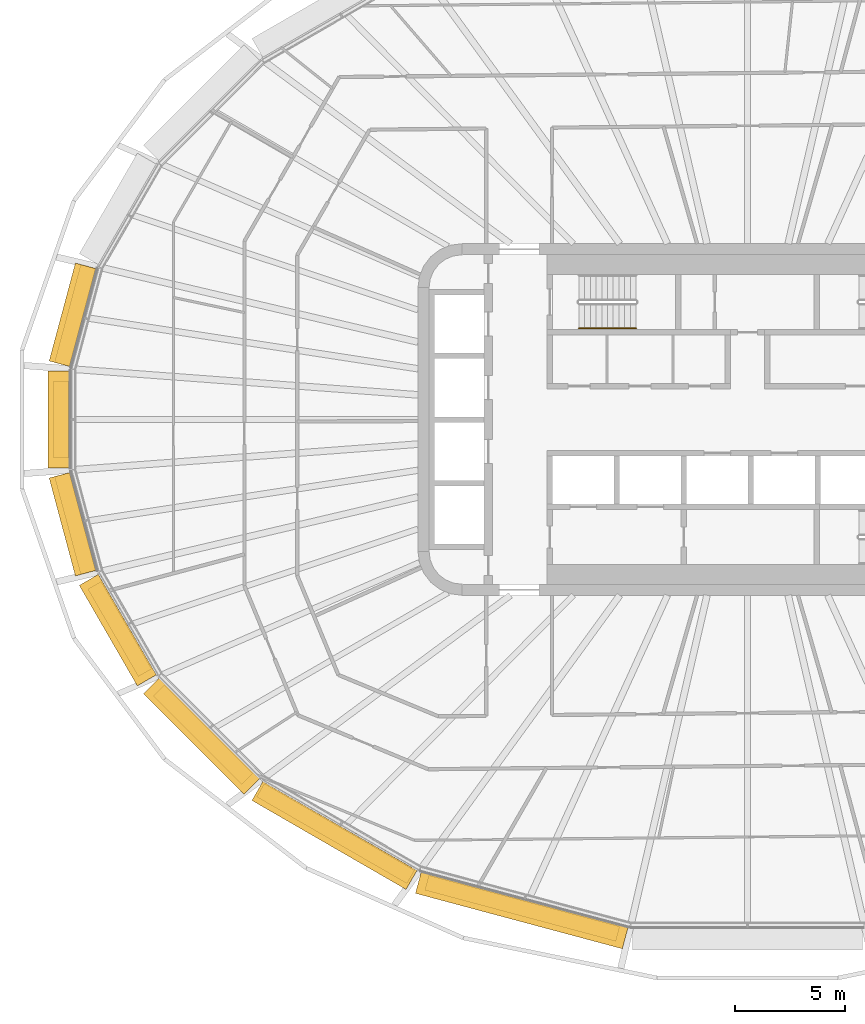
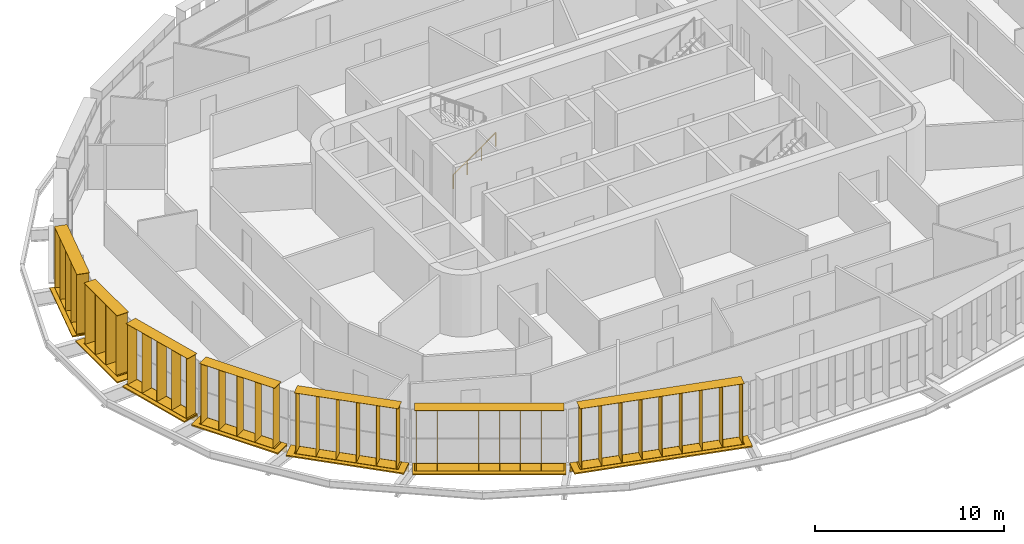
# One storey, part 17 of 22: 14 shading devices, 1 railing.
"""IFC4 building model written with IfcOpenShell, lengths in metres."""

from ifc_helpers import new_model, si_unit, direction, frame, origin, origin_2d, place, context, subcontext, project, spatial, rectangle, circle, extrude, material, type_object, element, save


model = new_model("IFC4")

# Units and contexts
model_context = context("Model", 3, precision=1e-05, world=origin(), true_north=direction((0.0, 1.0)))
body_context = subcontext(model_context, "Body", "Model", "MODEL_VIEW")
ifc_project = project(units=[si_unit("LENGTHUNIT", "METRE"), si_unit("AREAUNIT", "SQUARE_METRE"), si_unit("VOLUMEUNIT", "CUBIC_METRE"), si_unit("PLANEANGLEUNIT", "RADIAN"), si_unit("MASSUNIT", "GRAM", prefix="KILO")], contexts=[model_context])

# Site, building, storey
site_placement = place(None, origin())
site = spatial("IfcSite", under=ifc_project, at=site_placement, CompositionType="ELEMENT")
building_placement = place(site_placement, origin())
building = spatial("IfcBuilding", under=site, at=building_placement, Name="Sahrelin Media Tower", CompositionType="ELEMENT")
storey_placement = place(building_placement, frame((0.0, 0.0, 189.60009765625)))
storey = spatial("IfcBuildingStorey", under=building, at=storey_placement, Name="L40", CompositionType="ELEMENT", Elevation=189.60009765625)

# Shading devices
ifc_material_1 = material(Name="Champagne anodised aluminium 6063-T6", Category="aluminium")
shading_device_type_1 = type_object("IfcShadingDeviceType", Name="Fin cassette", PredefinedType="USERDEFINED", material=ifc_material_1)
placement_1 = place(storey_placement, frame((-30.2041015625, 4.627197265625, 0.0), z_axis=(0.0, 0.0, 1.0), x_axis=(0.258807731996, 0.965928857556, 0.0)))
element("IfcShadingDevice", 1, at=placement_1, inside=storey, type_object=shading_device_type_1, Name="L40:FIN:L40-11", ObjectType="FIN", PredefinedType="USERDEFINED", context=body_context, shape_type="SweptSolid", body=[
    extrude(rectangle(XDim=4.60009765625, YDim=0.699951171875, at=origin_2d()), frame((0.0, 0.419921875, 0.0)), (0.0, 0.0, 1.0), 0.02001953125),
    extrude(rectangle(XDim=4.60009765625, YDim=0.699951171875, at=origin_2d()), frame((0.0, 0.419921875, 3.89990234375)), (0.0, 0.0, 1.0), 0.02001953125),
    extrude(rectangle(XDim=0.02001953125, YDim=0.699951171875, at=origin_2d()), frame((-2.199951171875, 0.419921875, 0.010009765625), z_axis=(0.0, 0.0, 1.0), x_axis=(1.0, 0.0, 0.0)), (0.0, 0.0, 1.0), 3.89990234375),
    extrude(rectangle(XDim=0.02001953125, YDim=0.699951171875, at=origin_2d()), frame((-1.10009765625, 0.419921875, 0.010009765625), z_axis=(0.0, 0.0, 1.0), x_axis=(1.0, 0.0, 0.0)), (0.0, 0.0, 1.0), 3.89990234375),
    extrude(rectangle(XDim=0.02001953125, YDim=0.699951171875, at=origin_2d()), frame((0.0, 0.419921875, 0.010009765625), z_axis=(0.0, 0.0, 1.0), x_axis=(1.0, 0.0, 0.0)), (0.0, 0.0, 1.0), 3.89990234375),
    extrude(rectangle(XDim=0.02001953125, YDim=0.699951171875, at=origin_2d()), frame((1.10009765625, 0.419921875, 0.010009765625), z_axis=(0.0, 0.0, 1.0), x_axis=(1.0, 0.0, 0.0)), (0.0, 0.0, 1.0), 3.89990234375),
    extrude(rectangle(XDim=0.02001953125, YDim=0.699951171875, at=origin_2d()), frame((2.199951171875, 0.419921875, 0.010009765625), z_axis=(0.0, 0.0, 1.0), x_axis=(1.0, 0.0, 0.0)), (0.0, 0.0, 1.0), 3.89990234375),
])
placement_2 = place(storey_placement, frame((-30.827392578125, 0.0, 0.0), z_axis=(0.0, 0.0, 1.0), x_axis=(0.0, 1.0, 0.0)))
element("IfcShadingDevice", 2, at=placement_2, inside=storey, type_object=shading_device_type_1, Name="L40:FIN:L40-12", ObjectType="FIN", PredefinedType="USERDEFINED", context=body_context, shape_type="SweptSolid", body=[
    extrude(rectangle(XDim=3.5, YDim=0.699951171875, at=origin_2d()), frame((0.0, 0.419921875, 0.0)), (0.0, 0.0, 1.0), 0.02001953125),
    extrude(rectangle(XDim=3.5, YDim=0.699951171875, at=origin_2d()), frame((0.0, 0.419921875, 3.89990234375)), (0.0, 0.0, 1.0), 0.02001953125),
    extrude(rectangle(XDim=0.02001953125, YDim=0.699951171875, at=origin_2d()), frame((-1.64990234375, 0.419921875, 0.010009765625), z_axis=(0.0, 0.0, 1.0), x_axis=(1.0, 0.0, 0.0)), (0.0, 0.0, 1.0), 3.89990234375),
    extrude(rectangle(XDim=0.02001953125, YDim=0.699951171875, at=origin_2d()), frame((-0.550048828125, 0.419921875, 0.010009765625), z_axis=(0.0, 0.0, 1.0), x_axis=(1.0, 0.0, 0.0)), (0.0, 0.0, 1.0), 3.89990234375),
    extrude(rectangle(XDim=0.02001953125, YDim=0.699951171875, at=origin_2d()), frame((0.550048828125, 0.419921875, 0.010009765625), z_axis=(0.0, 0.0, 1.0), x_axis=(1.0, 0.0, 0.0)), (0.0, 0.0, 1.0), 3.89990234375),
    extrude(rectangle(XDim=0.02001953125, YDim=0.699951171875, at=origin_2d()), frame((1.64990234375, 0.419921875, 0.010009765625), z_axis=(0.0, 0.0, 1.0), x_axis=(1.0, 0.0, 0.0)), (0.0, 0.0, 1.0), 3.89990234375),
])
placement_3 = place(storey_placement, frame((-30.2041015625, -4.627197265625, 0.0), z_axis=(0.0, 0.0, 1.0), x_axis=(-0.258807731996, 0.965928857556, 0.0)))
element("IfcShadingDevice", 3, at=placement_3, inside=storey, type_object=shading_device_type_1, Name="L40:FIN:L40-13", ObjectType="FIN", PredefinedType="USERDEFINED", context=body_context, shape_type="SweptSolid", body=[
    extrude(rectangle(XDim=4.60009765625, YDim=0.699951171875, at=origin_2d()), frame((0.0, 0.419921875, 0.0)), (0.0, 0.0, 1.0), 0.02001953125),
    extrude(rectangle(XDim=4.60009765625, YDim=0.699951171875, at=origin_2d()), frame((0.0, 0.419921875, 3.89990234375)), (0.0, 0.0, 1.0), 0.02001953125),
    extrude(rectangle(XDim=0.02001953125, YDim=0.699951171875, at=origin_2d()), frame((-2.199951171875, 0.419921875, 0.010009765625), z_axis=(0.0, 0.0, 1.0), x_axis=(1.0, 0.0, 0.0)), (0.0, 0.0, 1.0), 3.89990234375),
    extrude(rectangle(XDim=0.02001953125, YDim=0.699951171875, at=origin_2d()), frame((-1.10009765625, 0.419921875, 0.010009765625), z_axis=(0.0, 0.0, 1.0), x_axis=(1.0, 0.0, 0.0)), (0.0, 0.0, 1.0), 3.89990234375),
    extrude(rectangle(XDim=0.02001953125, YDim=0.699951171875, at=origin_2d()), frame((0.0, 0.419921875, 0.010009765625), z_axis=(0.0, 0.0, 1.0), x_axis=(1.0, 0.0, 0.0)), (0.0, 0.0, 1.0), 3.89990234375),
    extrude(rectangle(XDim=0.02001953125, YDim=0.699951171875, at=origin_2d()), frame((1.10009765625, 0.419921875, 0.010009765625), z_axis=(0.0, 0.0, 1.0), x_axis=(1.0, 0.0, 0.0)), (0.0, 0.0, 1.0), 3.89990234375),
    extrude(rectangle(XDim=0.02001953125, YDim=0.699951171875, at=origin_2d()), frame((2.199951171875, 0.419921875, 0.010009765625), z_axis=(0.0, 0.0, 1.0), x_axis=(1.0, 0.0, 0.0)), (0.0, 0.0, 1.0), 3.89990234375),
])
placement_4 = place(storey_placement, frame((-28.211181640625, -9.324951171875, 0.0), z_axis=(0.0, 0.0, 1.0), x_axis=(-0.500011000363, 0.866019052629, 0.0)))
element("IfcShadingDevice", 4, at=placement_4, inside=storey, type_object=shading_device_type_1, Name="L40:FIN:L40-14", ObjectType="FIN", PredefinedType="USERDEFINED", context=body_context, shape_type="SweptSolid", body=[
    extrude(rectangle(XDim=4.60009765625, YDim=0.699951171875, at=origin_2d()), frame((0.0, 0.419921875, 0.0)), (0.0, 0.0, 1.0), 0.02001953125),
    extrude(rectangle(XDim=4.60009765625, YDim=0.699951171875, at=origin_2d()), frame((0.0, 0.419921875, 3.89990234375)), (0.0, 0.0, 1.0), 0.02001953125),
    extrude(rectangle(XDim=0.02001953125, YDim=0.699951171875, at=origin_2d()), frame((-2.199951171875, 0.419921875, 0.010009765625), z_axis=(0.0, 0.0, 1.0), x_axis=(1.0, 0.0, 0.0)), (0.0, 0.0, 1.0), 3.89990234375),
    extrude(rectangle(XDim=0.02001953125, YDim=0.699951171875, at=origin_2d()), frame((-1.10009765625, 0.419921875, 0.010009765625), z_axis=(0.0, 0.0, 1.0), x_axis=(1.0, 0.0, 0.0)), (0.0, 0.0, 1.0), 3.89990234375),
    extrude(rectangle(XDim=0.02001953125, YDim=0.699951171875, at=origin_2d()), frame((0.0, 0.419921875, 0.010009765625), z_axis=(0.0, 0.0, 1.0), x_axis=(1.0, 0.0, 0.0)), (0.0, 0.0, 1.0), 3.89990234375),
    extrude(rectangle(XDim=0.02001953125, YDim=0.699951171875, at=origin_2d()), frame((1.10009765625, 0.419921875, 0.010009765625), z_axis=(0.0, 0.0, 1.0), x_axis=(1.0, 0.0, 0.0)), (0.0, 0.0, 1.0), 3.89990234375),
    extrude(rectangle(XDim=0.02001953125, YDim=0.699951171875, at=origin_2d()), frame((2.199951171875, 0.419921875, 0.010009765625), z_axis=(0.0, 0.0, 1.0), x_axis=(1.0, 0.0, 0.0)), (0.0, 0.0, 1.0), 3.89990234375),
])
placement_5 = place(storey_placement, frame((-24.48779296875, -14.05126953125, 0.0), z_axis=(0.0, 0.0, 1.0), x_axis=(-0.707106781187, 0.707106781187, 0.0)))
element("IfcShadingDevice", 5, at=placement_5, inside=storey, type_object=shading_device_type_1, Name="L40:FIN:L40-15", ObjectType="FIN", PredefinedType="USERDEFINED", context=body_context, shape_type="SweptSolid", body=[
    extrude(rectangle(XDim=5.699951171875, YDim=0.699951171875, at=origin_2d()), frame((0.0, 0.419921875, 0.0)), (0.0, 0.0, 1.0), 0.02001953125),
    extrude(rectangle(XDim=5.699951171875, YDim=0.699951171875, at=origin_2d()), frame((0.0, 0.419921875, 3.89990234375)), (0.0, 0.0, 1.0), 0.02001953125),
    extrude(rectangle(XDim=0.02001953125, YDim=0.699951171875, at=origin_2d()), frame((-2.75, 0.419921875, 0.010009765625), z_axis=(0.0, 0.0, 1.0), x_axis=(1.0, 0.0, 0.0)), (0.0, 0.0, 1.0), 3.89990234375),
    extrude(rectangle(XDim=0.02001953125, YDim=0.699951171875, at=origin_2d()), frame((-1.64990234375, 0.419921875, 0.010009765625), z_axis=(0.0, 0.0, 1.0), x_axis=(1.0, 0.0, 0.0)), (0.0, 0.0, 1.0), 3.89990234375),
    extrude(rectangle(XDim=0.02001953125, YDim=0.699951171875, at=origin_2d()), frame((-0.550048828125, 0.419921875, 0.010009765625), z_axis=(0.0, 0.0, 1.0), x_axis=(1.0, 0.0, 0.0)), (0.0, 0.0, 1.0), 3.89990234375),
    extrude(rectangle(XDim=0.02001953125, YDim=0.699951171875, at=origin_2d()), frame((0.550048828125, 0.419921875, 0.010009765625), z_axis=(0.0, 0.0, 1.0), x_axis=(1.0, 0.0, 0.0)), (0.0, 0.0, 1.0), 3.89990234375),
    extrude(rectangle(XDim=0.02001953125, YDim=0.699951171875, at=origin_2d()), frame((1.64990234375, 0.419921875, 0.010009765625), z_axis=(0.0, 0.0, 1.0), x_axis=(1.0, 0.0, 0.0)), (0.0, 0.0, 1.0), 3.89990234375),
    extrude(rectangle(XDim=0.02001953125, YDim=0.699951171875, at=origin_2d()), frame((2.75, 0.419921875, 0.010009765625), z_axis=(0.0, 0.0, 1.0), x_axis=(1.0, 0.0, 0.0)), (0.0, 0.0, 1.0), 3.89990234375),
])
placement_6 = place(storey_placement, frame((-18.540283203125, -18.479736328125, 0.0), z_axis=(0.0, 0.0, 1.0), x_axis=(-0.866019052629, 0.500011000363, 0.0)))
element("IfcShadingDevice", 6, at=placement_6, inside=storey, type_object=shading_device_type_1, Name="L40:FIN:L40-16", ObjectType="FIN", PredefinedType="USERDEFINED", context=body_context, shape_type="SweptSolid", body=[
    extrude(rectangle(XDim=7.89990234375, YDim=0.699951171875, at=origin_2d()), frame((0.0, 0.419921875, 0.0)), (0.0, 0.0, 1.0), 0.02001953125),
    extrude(rectangle(XDim=7.89990234375, YDim=0.699951171875, at=origin_2d()), frame((0.0, 0.419921875, 3.89990234375)), (0.0, 0.0, 1.0), 0.02001953125),
    extrude(rectangle(XDim=0.02001953125, YDim=0.699951171875, at=origin_2d()), frame((-3.85009765625, 0.419921875, 0.010009765625), z_axis=(0.0, 0.0, 1.0), x_axis=(1.0, 0.0, 0.0)), (0.0, 0.0, 1.0), 3.89990234375),
    extrude(rectangle(XDim=0.02001953125, YDim=0.699951171875, at=origin_2d()), frame((-2.75, 0.419921875, 0.010009765625), z_axis=(0.0, 0.0, 1.0), x_axis=(1.0, 0.0, 0.0)), (0.0, 0.0, 1.0), 3.89990234375),
    extrude(rectangle(XDim=0.02001953125, YDim=0.699951171875, at=origin_2d()), frame((-1.64990234375, 0.419921875, 0.010009765625), z_axis=(0.0, 0.0, 1.0), x_axis=(1.0, 0.0, 0.0)), (0.0, 0.0, 1.0), 3.89990234375),
    extrude(rectangle(XDim=0.02001953125, YDim=0.699951171875, at=origin_2d()), frame((-0.550048828125, 0.419921875, 0.010009765625), z_axis=(0.0, 0.0, 1.0), x_axis=(1.0, 0.0, 0.0)), (0.0, 0.0, 1.0), 3.89990234375),
    extrude(rectangle(XDim=0.02001953125, YDim=0.699951171875, at=origin_2d()), frame((0.550048828125, 0.419921875, 0.010009765625), z_axis=(0.0, 0.0, 1.0), x_axis=(1.0, 0.0, 0.0)), (0.0, 0.0, 1.0), 3.89990234375),
    extrude(rectangle(XDim=0.02001953125, YDim=0.699951171875, at=origin_2d()), frame((1.64990234375, 0.419921875, 0.010009765625), z_axis=(0.0, 0.0, 1.0), x_axis=(1.0, 0.0, 0.0)), (0.0, 0.0, 1.0), 3.89990234375),
    extrude(rectangle(XDim=0.02001953125, YDim=0.699951171875, at=origin_2d()), frame((2.75, 0.419921875, 0.010009765625), z_axis=(0.0, 0.0, 1.0), x_axis=(1.0, 0.0, 0.0)), (0.0, 0.0, 1.0), 3.89990234375),
    extrude(rectangle(XDim=0.02001953125, YDim=0.699951171875, at=origin_2d()), frame((3.85009765625, 0.419921875, 0.010009765625), z_axis=(0.0, 0.0, 1.0), x_axis=(1.0, 0.0, 0.0)), (0.0, 0.0, 1.0), 3.89990234375),
])
placement_7 = place(storey_placement, frame((-10.143310546875, -21.841796875, 0.0), z_axis=(0.0, 0.0, 1.0), x_axis=(-0.965928857556, 0.258807731996, 0.0)))
element("IfcShadingDevice", 7, at=placement_7, inside=storey, type_object=shading_device_type_1, Name="L40:FIN:L40-17", ObjectType="FIN", PredefinedType="USERDEFINED", context=body_context, shape_type="SweptSolid", body=[
    extrude(rectangle(XDim=9.0, YDim=0.699951171875, at=origin_2d()), frame((0.0, 0.419921875, 0.0)), (0.0, 0.0, 1.0), 0.02001953125),
    extrude(rectangle(XDim=9.0, YDim=0.699951171875, at=origin_2d()), frame((0.0, 0.419921875, 3.89990234375)), (0.0, 0.0, 1.0), 0.02001953125),
    extrude(rectangle(XDim=0.02001953125, YDim=0.699951171875, at=origin_2d()), frame((-4.39990234375, 0.419921875, 0.010009765625), z_axis=(0.0, 0.0, 1.0), x_axis=(1.0, 0.0, 0.0)), (0.0, 0.0, 1.0), 3.89990234375),
    extrude(rectangle(XDim=0.02001953125, YDim=0.699951171875, at=origin_2d()), frame((-3.300048828125, 0.419921875, 0.010009765625), z_axis=(0.0, 0.0, 1.0), x_axis=(1.0, 0.0, 0.0)), (0.0, 0.0, 1.0), 3.89990234375),
    extrude(rectangle(XDim=0.02001953125, YDim=0.699951171875, at=origin_2d()), frame((-2.199951171875, 0.419921875, 0.010009765625), z_axis=(0.0, 0.0, 1.0), x_axis=(1.0, 0.0, 0.0)), (0.0, 0.0, 1.0), 3.89990234375),
    extrude(rectangle(XDim=0.02001953125, YDim=0.699951171875, at=origin_2d()), frame((-1.10009765625, 0.419921875, 0.010009765625), z_axis=(0.0, 0.0, 1.0), x_axis=(1.0, 0.0, 0.0)), (0.0, 0.0, 1.0), 3.89990234375),
    extrude(rectangle(XDim=0.02001953125, YDim=0.699951171875, at=origin_2d()), frame((0.0, 0.419921875, 0.010009765625), z_axis=(0.0, 0.0, 1.0), x_axis=(1.0, 0.0, 0.0)), (0.0, 0.0, 1.0), 3.89990234375),
    extrude(rectangle(XDim=0.02001953125, YDim=0.699951171875, at=origin_2d()), frame((1.10009765625, 0.419921875, 0.010009765625), z_axis=(0.0, 0.0, 1.0), x_axis=(1.0, 0.0, 0.0)), (0.0, 0.0, 1.0), 3.89990234375),
    extrude(rectangle(XDim=0.02001953125, YDim=0.699951171875, at=origin_2d()), frame((2.199951171875, 0.419921875, 0.010009765625), z_axis=(0.0, 0.0, 1.0), x_axis=(1.0, 0.0, 0.0)), (0.0, 0.0, 1.0), 3.89990234375),
    extrude(rectangle(XDim=0.02001953125, YDim=0.699951171875, at=origin_2d()), frame((3.300048828125, 0.419921875, 0.010009765625), z_axis=(0.0, 0.0, 1.0), x_axis=(1.0, 0.0, 0.0)), (0.0, 0.0, 1.0), 3.89990234375),
    extrude(rectangle(XDim=0.02001953125, YDim=0.699951171875, at=origin_2d()), frame((4.39990234375, 0.419921875, 0.010009765625), z_axis=(0.0, 0.0, 1.0), x_axis=(1.0, 0.0, 0.0)), (0.0, 0.0, 1.0), 3.89990234375),
])

# Railing
ifc_material_2 = material(Name="Steel S355", Category="steel")
railing_type = type_object("IfcRailingType", Name="Stair handrail 900", PredefinedType="HANDRAIL", material=ifc_material_2)
railing_placement = place(storey_placement, frame((-7.675048828125, 4.14990234375, 0.181640625)))
element("IfcRailing", 8, at=railing_placement, inside=storey, type_object=railing_type, Name="L40 ST1 stair handrail 1", PredefinedType="HANDRAIL", context=body_context, shape_type="SweptSolid", body=[
    extrude(circle(Radius=0.02392578125, at=origin_2d()), frame((0.0, 0.0, 0.8759765625), z_axis=(0.819484887739, 0.0, 0.573100792852), x_axis=(0.0, 1.0, 0.0)), (0.0, 0.0, 1.0), 3.1728515625),
    extrude(circle(Radius=0.02099609375, at=origin_2d()), origin(), (0.0, 0.0, 1.0), 0.851806640625),
    extrude(circle(Radius=0.02099609375, at=origin_2d()), frame((0.86669921875, 0.0, 0.606201171875)), (0.0, 0.0, 1.0), 0.851806640625),
    extrude(circle(Radius=0.02099609375, at=origin_2d()), frame((1.7333984375, 0.0, 1.212158203125)), (0.0, 0.0, 1.0), 0.851806640625),
    extrude(circle(Radius=0.02099609375, at=origin_2d()), frame((2.60009765625, 0.0, 1.818359375)), (0.0, 0.0, 1.0), 0.851806640625),
])

# Shading devices
shading_device_type_2 = type_object("IfcShadingDeviceType", Name="Sunshade band", PredefinedType="USERDEFINED", material=ifc_material_1)
element("IfcShadingDevice", 9, at=placement_1, inside=storey, type_object=shading_device_type_2, Name="L40:SUN:L40-11", ObjectType="SUNSHADE", PredefinedType="USERDEFINED", context=body_context, shape_type="SweptSolid", body=[
    extrude(rectangle(XDim=4.61474609375, YDim=0.050048828125, at=origin_2d()), frame((0.0, 0.044921875, -0.55126953125)), (0.0, 0.0, 1.0), 0.471435546875),
    extrude(rectangle(XDim=4.61474609375, YDim=1.0, at=origin_2d()), frame((0.0, 0.52001953125, -0.080078125)), (0.0, 0.0, 1.0), 0.080078125),
    extrude(rectangle(XDim=0.10009765625, YDim=0.074951171875, at=origin_2d()), frame((-2.20751953125, -0.017578125, -0.47021484375)), (0.0, 0.0, 1.0), 0.300048828125),
    extrude(rectangle(XDim=0.10009765625, YDim=0.074951171875, at=origin_2d()), frame((-0.73583984375, -0.017578125, -0.47021484375)), (0.0, 0.0, 1.0), 0.300048828125),
    extrude(rectangle(XDim=0.10009765625, YDim=0.074951171875, at=origin_2d()), frame((0.73583984375, -0.017578125, -0.47021484375)), (0.0, 0.0, 1.0), 0.300048828125),
    extrude(rectangle(XDim=0.10009765625, YDim=0.074951171875, at=origin_2d()), frame((2.20751953125, -0.017578125, -0.47021484375)), (0.0, 0.0, 1.0), 0.300048828125),
])
element("IfcShadingDevice", 10, at=placement_2, inside=storey, type_object=shading_device_type_2, Name="L40:SUN:L40-12", ObjectType="SUNSHADE", PredefinedType="USERDEFINED", context=body_context, shape_type="SweptSolid", body=[
    extrude(rectangle(XDim=4.403564453125, YDim=0.050048828125, at=origin_2d()), frame((0.0, 0.044921875, -0.55126953125)), (0.0, 0.0, 1.0), 0.471435546875),
    extrude(rectangle(XDim=4.403564453125, YDim=1.0, at=origin_2d()), frame((0.0, 0.52001953125, -0.080078125)), (0.0, 0.0, 1.0), 0.080078125),
    extrude(rectangle(XDim=0.10009765625, YDim=0.074951171875, at=origin_2d()), frame((-2.101806640625, -0.017578125, -0.47021484375)), (0.0, 0.0, 1.0), 0.300048828125),
    extrude(rectangle(XDim=0.10009765625, YDim=0.074951171875, at=origin_2d()), frame((-0.70068359375, -0.017578125, -0.47021484375)), (0.0, 0.0, 1.0), 0.300048828125),
    extrude(rectangle(XDim=0.10009765625, YDim=0.074951171875, at=origin_2d()), frame((0.70068359375, -0.017578125, -0.47021484375)), (0.0, 0.0, 1.0), 0.300048828125),
    extrude(rectangle(XDim=0.10009765625, YDim=0.074951171875, at=origin_2d()), frame((2.101806640625, -0.017578125, -0.47021484375)), (0.0, 0.0, 1.0), 0.300048828125),
])
element("IfcShadingDevice", 11, at=placement_3, inside=storey, type_object=shading_device_type_2, Name="L40:SUN:L40-13", ObjectType="SUNSHADE", PredefinedType="USERDEFINED", context=body_context, shape_type="SweptSolid", body=[
    extrude(rectangle(XDim=4.61474609375, YDim=0.050048828125, at=origin_2d()), frame((0.0, 0.044921875, -0.55126953125)), (0.0, 0.0, 1.0), 0.471435546875),
    extrude(rectangle(XDim=4.61474609375, YDim=1.0, at=origin_2d()), frame((0.0, 0.52001953125, -0.080078125)), (0.0, 0.0, 1.0), 0.080078125),
    extrude(rectangle(XDim=0.10009765625, YDim=0.074951171875, at=origin_2d()), frame((-2.20751953125, -0.017578125, -0.47021484375)), (0.0, 0.0, 1.0), 0.300048828125),
    extrude(rectangle(XDim=0.10009765625, YDim=0.074951171875, at=origin_2d()), frame((-0.73583984375, -0.017578125, -0.47021484375)), (0.0, 0.0, 1.0), 0.300048828125),
    extrude(rectangle(XDim=0.10009765625, YDim=0.074951171875, at=origin_2d()), frame((0.73583984375, -0.017578125, -0.47021484375)), (0.0, 0.0, 1.0), 0.300048828125),
    extrude(rectangle(XDim=0.10009765625, YDim=0.074951171875, at=origin_2d()), frame((2.20751953125, -0.017578125, -0.47021484375)), (0.0, 0.0, 1.0), 0.300048828125),
])
element("IfcShadingDevice", 12, at=placement_4, inside=storey, type_object=shading_device_type_2, Name="L40:SUN:L40-14", ObjectType="SUNSHADE", PredefinedType="USERDEFINED", context=body_context, shape_type="SweptSolid", body=[
    extrude(rectangle(XDim=5.279052734375, YDim=0.050048828125, at=origin_2d()), frame((0.0, 0.044921875, -0.55126953125)), (0.0, 0.0, 1.0), 0.471435546875),
    extrude(rectangle(XDim=5.279052734375, YDim=1.0, at=origin_2d()), frame((0.0, 0.52001953125, -0.080078125)), (0.0, 0.0, 1.0), 0.080078125),
    extrude(rectangle(XDim=0.10009765625, YDim=0.074951171875, at=origin_2d()), frame((-2.53955078125, -0.017578125, -0.47021484375)), (0.0, 0.0, 1.0), 0.300048828125),
    extrude(rectangle(XDim=0.10009765625, YDim=0.074951171875, at=origin_2d()), frame((-0.846435546875, -0.017578125, -0.47021484375)), (0.0, 0.0, 1.0), 0.300048828125),
    extrude(rectangle(XDim=0.10009765625, YDim=0.074951171875, at=origin_2d()), frame((0.846435546875, -0.017578125, -0.47021484375)), (0.0, 0.0, 1.0), 0.300048828125),
    extrude(rectangle(XDim=0.10009765625, YDim=0.074951171875, at=origin_2d()), frame((2.53955078125, -0.017578125, -0.47021484375)), (0.0, 0.0, 1.0), 0.300048828125),
])
element("IfcShadingDevice", 13, at=placement_5, inside=storey, type_object=shading_device_type_2, Name="L40:SUN:L40-15", ObjectType="SUNSHADE", PredefinedType="USERDEFINED", context=body_context, shape_type="SweptSolid", body=[
    extrude(rectangle(XDim=6.45751953125, YDim=0.050048828125, at=origin_2d()), frame((0.0, 0.044921875, -0.55126953125)), (0.0, 0.0, 1.0), 0.471435546875),
    extrude(rectangle(XDim=6.45751953125, YDim=1.0, at=origin_2d()), frame((0.0, 0.52001953125, -0.080078125)), (0.0, 0.0, 1.0), 0.080078125),
    extrude(rectangle(XDim=0.10009765625, YDim=0.074951171875, at=origin_2d()), frame((-3.12890625, -0.017578125, -0.47021484375)), (0.0, 0.0, 1.0), 0.300048828125),
    extrude(rectangle(XDim=0.10009765625, YDim=0.074951171875, at=origin_2d()), frame((-1.564453125, -0.017578125, -0.47021484375)), (0.0, 0.0, 1.0), 0.300048828125),
    extrude(rectangle(XDim=0.10009765625, YDim=0.074951171875, at=origin_2d()), frame((0.0, -0.017578125, -0.47021484375)), (0.0, 0.0, 1.0), 0.300048828125),
    extrude(rectangle(XDim=0.10009765625, YDim=0.074951171875, at=origin_2d()), frame((1.564453125, -0.017578125, -0.47021484375)), (0.0, 0.0, 1.0), 0.300048828125),
    extrude(rectangle(XDim=0.10009765625, YDim=0.074951171875, at=origin_2d()), frame((3.12890625, -0.017578125, -0.47021484375)), (0.0, 0.0, 1.0), 0.300048828125),
])
element("IfcShadingDevice", 14, at=placement_6, inside=storey, type_object=shading_device_type_2, Name="L40:SUN:L40-16", ObjectType="SUNSHADE", PredefinedType="USERDEFINED", context=body_context, shape_type="SweptSolid", body=[
    extrude(rectangle(XDim=8.09912109375, YDim=0.050048828125, at=origin_2d()), frame((0.0, 0.044921875, -0.55126953125)), (0.0, 0.0, 1.0), 0.471435546875),
    extrude(rectangle(XDim=8.09912109375, YDim=1.0, at=origin_2d()), frame((0.0, 0.52001953125, -0.080078125)), (0.0, 0.0, 1.0), 0.080078125),
    extrude(rectangle(XDim=0.10009765625, YDim=0.074951171875, at=origin_2d()), frame((-3.949462890625, -0.017578125, -0.47021484375)), (0.0, 0.0, 1.0), 0.300048828125),
    extrude(rectangle(XDim=0.10009765625, YDim=0.074951171875, at=origin_2d()), frame((-2.36962890625, -0.017578125, -0.47021484375)), (0.0, 0.0, 1.0), 0.300048828125),
    extrude(rectangle(XDim=0.10009765625, YDim=0.074951171875, at=origin_2d()), frame((-0.789794921875, -0.017578125, -0.47021484375)), (0.0, 0.0, 1.0), 0.300048828125),
    extrude(rectangle(XDim=0.10009765625, YDim=0.074951171875, at=origin_2d()), frame((0.789794921875, -0.017578125, -0.47021484375)), (0.0, 0.0, 1.0), 0.300048828125),
    extrude(rectangle(XDim=0.10009765625, YDim=0.074951171875, at=origin_2d()), frame((2.36962890625, -0.017578125, -0.47021484375)), (0.0, 0.0, 1.0), 0.300048828125),
    extrude(rectangle(XDim=0.10009765625, YDim=0.074951171875, at=origin_2d()), frame((3.949462890625, -0.017578125, -0.47021484375)), (0.0, 0.0, 1.0), 0.300048828125),
])
element("IfcShadingDevice", 15, at=placement_7, inside=storey, type_object=shading_device_type_2, Name="L40:SUN:L40-17", ObjectType="SUNSHADE", PredefinedType="USERDEFINED", context=body_context, shape_type="SweptSolid", body=[
    extrude(rectangle(XDim=9.74609375, YDim=0.050048828125, at=origin_2d()), frame((0.0, 0.044921875, -0.55126953125)), (0.0, 0.0, 1.0), 0.471435546875),
    extrude(rectangle(XDim=9.74609375, YDim=1.0, at=origin_2d()), frame((0.0, 0.52001953125, -0.080078125)), (0.0, 0.0, 1.0), 0.080078125),
    extrude(rectangle(XDim=0.10009765625, YDim=0.074951171875, at=origin_2d()), frame((-4.773193359375, -0.017578125, -0.47021484375)), (0.0, 0.0, 1.0), 0.300048828125),
    extrude(rectangle(XDim=0.10009765625, YDim=0.074951171875, at=origin_2d()), frame((-2.864013671875, -0.017578125, -0.47021484375)), (0.0, 0.0, 1.0), 0.300048828125),
    extrude(rectangle(XDim=0.10009765625, YDim=0.074951171875, at=origin_2d()), frame((-0.95458984375, -0.017578125, -0.47021484375)), (0.0, 0.0, 1.0), 0.300048828125),
    extrude(rectangle(XDim=0.10009765625, YDim=0.074951171875, at=origin_2d()), frame((0.95458984375, -0.017578125, -0.47021484375)), (0.0, 0.0, 1.0), 0.300048828125),
    extrude(rectangle(XDim=0.10009765625, YDim=0.074951171875, at=origin_2d()), frame((2.864013671875, -0.017578125, -0.47021484375)), (0.0, 0.0, 1.0), 0.300048828125),
    extrude(rectangle(XDim=0.10009765625, YDim=0.074951171875, at=origin_2d()), frame((4.773193359375, -0.017578125, -0.47021484375)), (0.0, 0.0, 1.0), 0.300048828125),
])

save(model, "model.ifc")
